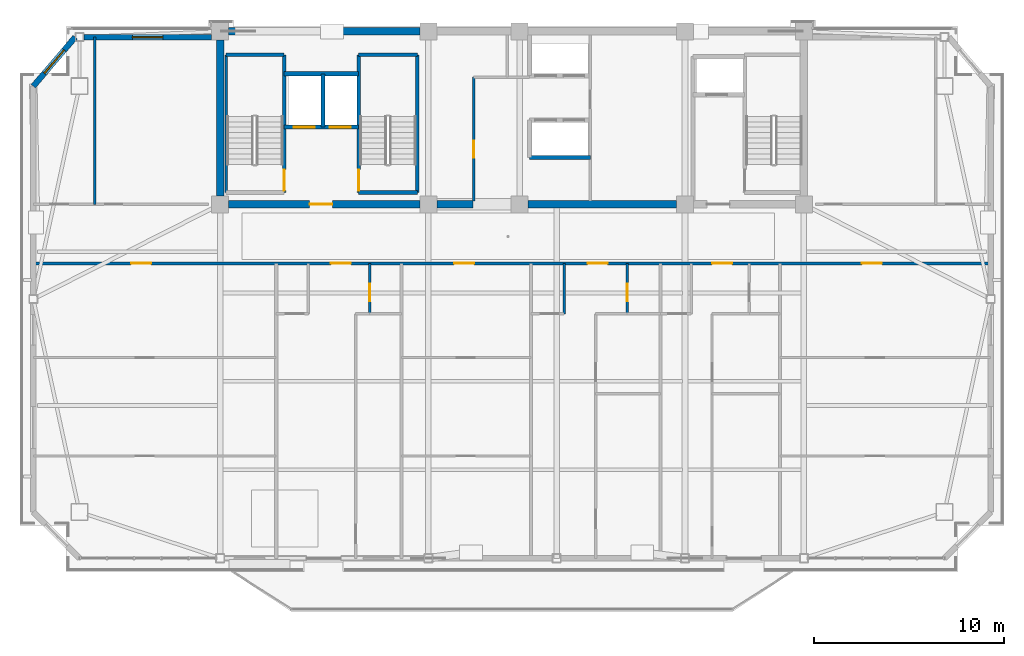
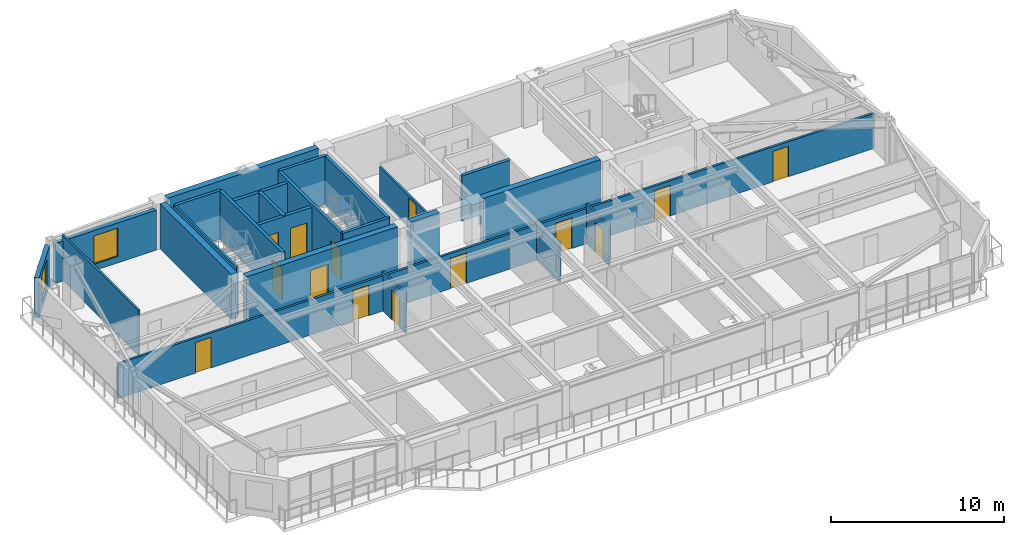
# One storey, part 8 of 15: 24 walls, 14 doors, 2 windows, 16 openings.
"""IFC4 building model written with IfcOpenShell, lengths in metres."""

from ifc_helpers import new_model, si_unit, direction, frame, frame_2d, origin, place, context, subcontext, project, spatial, rectangle, extrude, source, transform, mapped, material, layer, layer_set, type_object, element, fill, save


model = new_model("IFC4")

# Units and contexts
model_context = context("Model", 3, precision=1e-05, world=origin(), true_north=direction((0.0, 1.0)))
body_context = subcontext(model_context, "Body", "Model", "MODEL_VIEW")
ifc_project = project(units=[si_unit("LENGTHUNIT", "METRE"), si_unit("AREAUNIT", "SQUARE_METRE"), si_unit("VOLUMEUNIT", "CUBIC_METRE"), si_unit("PLANEANGLEUNIT", "RADIAN"), si_unit("MASSUNIT", "GRAM", prefix="KILO")], contexts=[model_context])

# Site, building, storey
site_placement = place(None, origin())
site = spatial("IfcSite", under=ifc_project, at=site_placement, CompositionType="ELEMENT")
building_placement = place(site_placement, origin())
building = spatial("IfcBuilding", under=site, at=building_placement, Name="Giltprow Tower", CompositionType="ELEMENT")
storey_placement = place(building_placement, frame((0.0, 0.0, 293.800048828125)))
storey = spatial("IfcBuildingStorey", under=building, at=storey_placement, Name="L75", CompositionType="ELEMENT", Elevation=293.800048828125)

# Wall, opening, window
ifc_material_1 = material(Name="Precast concrete C40", Category="concrete")
ifc_layer_1 = layer(ifc_material_1, 0.300048828125, Name="Precast concrete C40")
ifc_layer_set_1 = layer_set([ifc_layer_1], Name="Precast concrete C40")
wall_type_1 = type_object("IfcWallType", Name="EW-NOTCH-CHAMFER-300", PredefinedType="SOLIDWALL", material=ifc_layer_set_1)
wall_1_placement = place(storey_placement, frame((12.22998046875, 46.25, 0.0), z_axis=(0.0, 0.0, 1.0), x_axis=(-0.649724860602, -0.76016945842, 0.0)))
wall_1 = element("IfcWall", 1, at=wall_1_placement, inside=storey, type_object=wall_type_1, Name="L75 Corner Notch Wall NW", PredefinedType="SOLIDWALL", context=body_context, shape_type="SweptSolid", body=[
    extrude(rectangle(XDim=3.395263671875, YDim=0.300048828125, at=frame_2d((1.69775390625, 0.0))), origin(), (0.0, 0.0, 1.0), 2.81494140625),
])
opening_1_placement = place(wall_1_placement, frame((0.89794921875, 0.0, 0.449951171875)))
opening_1 = element("IfcOpeningElement", 2, at=opening_1_placement, cuts=wall_1, Name="Opening WN17", PredefinedType="OPENING", context=body_context, shape_type="SweptSolid", body=[
    extrude(rectangle(XDim=1.60009765625, YDim=2.0, at=frame_2d((0.800048828125, 1.0))), frame((0.0, 0.159912109375, 0.0), z_axis=(0.0, -1.0, 0.0), x_axis=(1.0, 0.0, 0.0)), (0.0, 0.0, 1.0), 0.320068359375),
])
ifc_material_2 = material(Name="Insulated glass", Category="glass")
window_type = type_object("IfcWindowType", Name="WN-COR-1600x2000", PartitioningType="SINGLE_PANEL", PredefinedType="WINDOW", material=ifc_material_2)
shared_shape_1 = source(origin(), body_context, "Body", "SweptSolid", [
    extrude(rectangle(XDim=1.60009765625, YDim=2.0, at=frame_2d((0.800048828125, 1.0))), frame((0.0, 0.030029296875, 0.0), z_axis=(0.0, -1.0, 0.0), x_axis=(1.0, 0.0, 0.0)), (0.0, 0.0, 1.0), 0.06005859375),
])
window_1_placement = place(opening_1_placement, origin())
window_1 = element("IfcWindow", 3, at=window_1_placement, inside=storey, type_object=window_type, Name="L75 Corner Notch Window NW", OverallHeight=2.0, OverallWidth=1.60009765625, PartitioningType="SINGLE_PANEL", PredefinedType="WINDOW", context=body_context, shape_type="MappedRepresentation", body=[
    mapped(shared_shape_1, transform((0.0, 0.0, 0.0), x_axis=(1.0, 0.0, 0.0), y_axis=(0.0, 1.0, 0.0), z_axis=(0.0, 0.0, 1.0), scale=1.0)),
])
fill(opening_1, window_1)

ifc_layer_2 = layer(ifc_material_1, 0.280029296875, Name="Precast concrete C40")
ifc_layer_set_2 = layer_set([ifc_layer_2], Name="Precast concrete C40")
wall_type_2 = type_object("IfcWallType", Name="EW-TOW-BRONZE-280", PredefinedType="SOLIDWALL", material=ifc_layer_set_2)
wall_2_placement = place(storey_placement, frame((12.679931640625, 46.25, 0.0), z_axis=(0.0, 0.0, 1.0), x_axis=(1.0, 0.0, 0.0)))
wall_2 = element("IfcWall", 4, at=wall_2_placement, inside=storey, type_object=wall_type_2, Name="L75 North-West Wing Wall", PredefinedType="SOLIDWALL", context=body_context, shape_type="SweptSolid", body=[
    extrude(rectangle(XDim=6.719970703125, YDim=0.280029296875, at=frame_2d((3.35986328125, 0.0))), origin(), (0.0, 0.0, 1.0), 2.81494140625),
])
opening_2_placement = place(wall_2_placement, frame((2.56005859375, 0.0, 0.449951171875)))
opening_2 = element("IfcOpeningElement", 5, at=opening_2_placement, cuts=wall_2, Name="Opening WN17", PredefinedType="OPENING", context=body_context, shape_type="SweptSolid", body=[
    extrude(rectangle(XDim=1.60009765625, YDim=2.0, at=frame_2d((0.800048828125, 1.0))), frame((0.0, 0.14990234375, 0.0), z_axis=(0.0, -1.0, 0.0), x_axis=(1.0, 0.0, 0.0)), (0.0, 0.0, 1.0), 0.300048828125),
])
window_2_placement = place(opening_2_placement, origin())
window_2 = element("IfcWindow", 6, at=window_2_placement, inside=storey, type_object=window_type, Name="L75 North-West Window", OverallHeight=2.0, OverallWidth=1.60009765625, PartitioningType="SINGLE_PANEL", PredefinedType="WINDOW", context=body_context, shape_type="MappedRepresentation", body=[
    mapped(shared_shape_1, transform((0.0, 0.0, 0.0), x_axis=(1.0, 0.0, 0.0), y_axis=(0.0, 1.0, 0.0), z_axis=(0.0, 0.0, 1.0), scale=1.0)),
])
fill(opening_2, window_2)

# Wall, openings, doors
ifc_material_3 = material(Name="Gypsum stud partition", Category="gypsum")
ifc_layer_3 = layer(ifc_material_3, 0.14990234375, Name="Gypsum stud partition")
ifc_layer_set_3 = layer_set([ifc_layer_3], Name="Gypsum stud partition")
wall_type_3 = type_object("IfcWallType", Name="IW-CORR-150", PredefinedType="PARTITIONING", material=ifc_layer_set_3)
wall_3_placement = place(storey_placement, frame((10.02392578125, 34.35009765625, 0.0), z_axis=(0.0, 0.0, 1.0), x_axis=(1.0, 0.0, 0.0)))
wall_3 = element("IfcWall", 7, at=wall_3_placement, inside=storey, type_object=wall_type_3, Name="L75 Residence Gallery Corridor Wall", PredefinedType="PARTITIONING", context=body_context, shape_type="SweptSolid", body=[
    extrude(rectangle(XDim=50.35205078125, YDim=0.14990234375, at=frame_2d((25.176025390625, 0.0))), origin(), (0.0, 0.0, 1.0), 2.469970703125),
])
opening_3_placement = place(wall_3_placement, frame((5.14794921875, 0.0, 0.0)))
opening_3 = element("IfcOpeningElement", 8, at=opening_3_placement, cuts=wall_3, Name="Opening ID31", PredefinedType="OPENING", context=body_context, shape_type="SweptSolid", body=[
    extrude(rectangle(XDim=1.050048828125, YDim=2.14990234375, at=frame_2d((0.52490234375, 1.074951171875))), frame((0.0, 0.0849609375, 0.0), z_axis=(0.0, -1.0, 0.0), x_axis=(1.0, 0.0, 0.0)), (0.0, 0.0, 1.0), 0.169921875),
])
opening_4_placement = place(wall_3_placement, frame((15.65087890625, 0.0, 0.0)))
opening_4 = element("IfcOpeningElement", 9, at=opening_4_placement, cuts=wall_3, Name="Opening ID31", PredefinedType="OPENING", context=body_context, shape_type="SweptSolid", body=[
    extrude(rectangle(XDim=1.050048828125, YDim=2.14990234375, at=frame_2d((0.52490234375, 1.074951171875))), frame((0.0, 0.0849609375, 0.0), z_axis=(0.0, -1.0, 0.0), x_axis=(1.0, 0.0, 0.0)), (0.0, 0.0, 1.0), 0.169921875),
])
opening_5_placement = place(wall_3_placement, frame((22.12890625, 0.0, 0.0)))
opening_5 = element("IfcOpeningElement", 10, at=opening_5_placement, cuts=wall_3, Name="Opening ID31", PredefinedType="OPENING", context=body_context, shape_type="SweptSolid", body=[
    extrude(rectangle(XDim=1.050048828125, YDim=2.14990234375, at=frame_2d((0.52490234375, 1.074951171875))), frame((0.0, 0.0849609375, 0.0), z_axis=(0.0, -1.0, 0.0), x_axis=(1.0, 0.0, 0.0)), (0.0, 0.0, 1.0), 0.169921875),
])
opening_6_placement = place(wall_3_placement, frame((29.15087890625, 0.0, 0.0)))
opening_6 = element("IfcOpeningElement", 11, at=opening_6_placement, cuts=wall_3, Name="Opening ID31", PredefinedType="OPENING", context=body_context, shape_type="SweptSolid", body=[
    extrude(rectangle(XDim=1.050048828125, YDim=2.14990234375, at=frame_2d((0.52490234375, 1.074951171875))), frame((0.0, 0.0849609375, 0.0), z_axis=(0.0, -1.0, 0.0), x_axis=(1.0, 0.0, 0.0)), (0.0, 0.0, 1.0), 0.169921875),
])
opening_7_placement = place(wall_3_placement, frame((35.700927734375, 0.0, 0.0)))
opening_7 = element("IfcOpeningElement", 12, at=opening_7_placement, cuts=wall_3, Name="Opening ID31", PredefinedType="OPENING", context=body_context, shape_type="SweptSolid", body=[
    extrude(rectangle(XDim=1.050048828125, YDim=2.14990234375, at=frame_2d((0.52490234375, 1.074951171875))), frame((0.0, 0.0849609375, 0.0), z_axis=(0.0, -1.0, 0.0), x_axis=(1.0, 0.0, 0.0)), (0.0, 0.0, 1.0), 0.169921875),
])
opening_8_placement = place(wall_3_placement, frame((43.577880859375, 0.0, 0.0)))
opening_8 = element("IfcOpeningElement", 13, at=opening_8_placement, cuts=wall_3, Name="Opening ID31", PredefinedType="OPENING", context=body_context, shape_type="SweptSolid", body=[
    extrude(rectangle(XDim=1.050048828125, YDim=2.14990234375, at=frame_2d((0.52490234375, 1.074951171875))), frame((0.0, 0.0849609375, 0.0), z_axis=(0.0, -1.0, 0.0), x_axis=(1.0, 0.0, 0.0)), (0.0, 0.0, 1.0), 0.169921875),
])
ifc_material_4 = material(Name="Engineered timber", Category="wood")
door_type_1 = type_object("IfcDoorType", Name="DR-SUITE-1050", OperationType="SINGLE_SWING_LEFT", PredefinedType="DOOR", material=ifc_material_4)
shared_shape_2 = source(origin(), body_context, "Body", "SweptSolid", [
    extrude(rectangle(XDim=1.050048828125, YDim=2.14990234375, at=frame_2d((0.52490234375, 1.074951171875))), frame((0.0, 0.02490234375, 0.0), z_axis=(0.0, -1.0, 0.0), x_axis=(1.0, 0.0, 0.0)), (0.0, 0.0, 1.0), 0.050048828125),
])
door_1_placement = place(opening_3_placement, origin())
door_1 = element("IfcDoor", 14, at=door_1_placement, inside=storey, type_object=door_type_1, Name="L75 Altitude Pilates Gym 1 North Door", OperationType="SINGLE_SWING_LEFT", OverallHeight=2.14990234375, OverallWidth=1.050048828125, PredefinedType="DOOR", context=body_context, shape_type="MappedRepresentation", body=[
    mapped(shared_shape_2, transform((0.0, 0.0, 0.0), x_axis=(1.0, 0.0, 0.0), y_axis=(0.0, 1.0, 0.0), z_axis=(0.0, 0.0, 1.0), scale=1.0)),
])
fill(opening_3, door_1)
door_2_placement = place(opening_4_placement, origin())
door_2 = element("IfcDoor", 15, at=door_2_placement, inside=storey, type_object=door_type_1, Name="L75 Unit 1 Entrance Door", OperationType="SINGLE_SWING_RIGHT", OverallHeight=2.14990234375, OverallWidth=1.050048828125, PredefinedType="DOOR", context=body_context, shape_type="MappedRepresentation", body=[
    mapped(shared_shape_2, transform((0.0, 0.0, 0.0), x_axis=(1.0, 0.0, 0.0), y_axis=(0.0, 1.0, 0.0), z_axis=(0.0, 0.0, 1.0), scale=1.0)),
])
fill(opening_4, door_2)
door_3_placement = place(opening_5_placement, origin())
door_3 = element("IfcDoor", 16, at=door_3_placement, inside=storey, type_object=door_type_1, Name="L75 Meditation Gym 2 North Door", OperationType="SINGLE_SWING_RIGHT", OverallHeight=2.14990234375, OverallWidth=1.050048828125, PredefinedType="DOOR", context=body_context, shape_type="MappedRepresentation", body=[
    mapped(shared_shape_2, transform((0.0, 0.0, 0.0), x_axis=(1.0, 0.0, 0.0), y_axis=(0.0, 1.0, 0.0), z_axis=(0.0, 0.0, 1.0), scale=1.0)),
])
fill(opening_5, door_3)
door_4_placement = place(opening_6_placement, origin())
door_4 = element("IfcDoor", 17, at=door_4_placement, inside=storey, type_object=door_type_1, Name="L75 Unit 2 Entrance Door", OperationType="SINGLE_SWING_LEFT", OverallHeight=2.14990234375, OverallWidth=1.050048828125, PredefinedType="DOOR", context=body_context, shape_type="MappedRepresentation", body=[
    mapped(shared_shape_2, transform((0.0, 0.0, 0.0), x_axis=(1.0, 0.0, 0.0), y_axis=(0.0, 1.0, 0.0), z_axis=(0.0, 0.0, 1.0), scale=1.0)),
])
fill(opening_6, door_4)
door_5_placement = place(opening_7_placement, origin())
door_5 = element("IfcDoor", 18, at=door_5_placement, inside=storey, type_object=door_type_1, Name="L75 Unit 3 Entrance Door", OperationType="SINGLE_SWING_RIGHT", OverallHeight=2.14990234375, OverallWidth=1.050048828125, PredefinedType="DOOR", context=body_context, shape_type="MappedRepresentation", body=[
    mapped(shared_shape_2, transform((0.0, 0.0, 0.0), x_axis=(1.0, 0.0, 0.0), y_axis=(0.0, 1.0, 0.0), z_axis=(0.0, 0.0, 1.0), scale=1.0)),
])
fill(opening_7, door_5)
door_6_placement = place(opening_8_placement, origin())
door_6 = element("IfcDoor", 19, at=door_6_placement, inside=storey, type_object=door_type_1, Name="L75 Sky Yoga Gym 3 North Door", OperationType="SINGLE_SWING_LEFT", OverallHeight=2.14990234375, OverallWidth=1.050048828125, PredefinedType="DOOR", context=body_context, shape_type="MappedRepresentation", body=[
    mapped(shared_shape_2, transform((0.0, 0.0, 0.0), x_axis=(1.0, 0.0, 0.0), y_axis=(0.0, 1.0, 0.0), z_axis=(0.0, 0.0, 1.0), scale=1.0)),
])
fill(opening_8, door_6)

ifc_material_5 = material(Name="Concrete C40", Category="concrete")
ifc_layer_4 = layer(ifc_material_5, 0.219970703125, Name="Concrete C40")
ifc_layer_set_4 = layer_set([ifc_layer_4], Name="Concrete C40")
wall_type_4 = type_object("IfcWallType", Name="IW-SHAFT-220", PredefinedType="SOLIDWALL", material=ifc_layer_set_4)
wall_4_placement = place(storey_placement, frame((23.219970703125, 41.52001953125, 0.0), z_axis=(0.0, 0.0, 1.0), x_axis=(1.0, 0.0, 0.0)))
wall_4 = element("IfcWall", 20, at=wall_4_placement, inside=storey, type_object=wall_type_4, Name="L75 FFL1 and Service Lift Front Wall", PredefinedType="SOLIDWALL", context=body_context, shape_type="SweptSolid", body=[
    extrude(rectangle(XDim=3.919921875, YDim=0.219970703125, at=frame_2d((1.9599609375, 0.0))), origin(), (0.0, 0.0, 1.0), 3.18505859375),
])
opening_9_placement = place(wall_4_placement, frame((0.5, 0.0, 0.0)))
opening_9 = element("IfcOpeningElement", 21, at=opening_9_placement, cuts=wall_4, Name="Opening LD-11", PredefinedType="OPENING", context=body_context, shape_type="SweptSolid", body=[
    extrude(rectangle(XDim=1.10009765625, YDim=2.199951171875, at=frame_2d((0.550048828125, 1.10009765625))), frame((0.0, 0.119873046875, 0.0), z_axis=(0.0, -1.0, 0.0), x_axis=(1.0, 0.0, 0.0)), (0.0, 0.0, 1.0), 0.239990234375),
])
opening_10_placement = place(wall_4_placement, frame((2.39990234375, 0.0, 0.0)))
opening_10 = element("IfcOpeningElement", 22, at=opening_10_placement, cuts=wall_4, Name="Opening LD-11", PredefinedType="OPENING", context=body_context, shape_type="SweptSolid", body=[
    extrude(rectangle(XDim=1.10009765625, YDim=2.199951171875, at=frame_2d((0.550048828125, 1.10009765625))), frame((0.0, 0.119873046875, 0.0), z_axis=(0.0, -1.0, 0.0), x_axis=(1.0, 0.0, 0.0)), (0.0, 0.0, 1.0), 0.239990234375),
])
ifc_material_6 = material(Name="Stainless steel", Category="steel")
door_type_2 = type_object("IfcDoorType", Name="DR-LIFT-LD1100", OperationType="SLIDING_TO_LEFT", PredefinedType="DOOR", material=ifc_material_6)
shared_shape_3 = source(origin(), body_context, "Body", "SweptSolid", [
    extrude(rectangle(XDim=1.10009765625, YDim=2.199951171875, at=frame_2d((0.550048828125, 1.10009765625))), frame((0.0, 0.02490234375, 0.0), z_axis=(0.0, -1.0, 0.0), x_axis=(1.0, 0.0, 0.0)), (0.0, 0.0, 1.0), 0.050048828125),
])
door_7_placement = place(opening_9_placement, origin())
door_7 = element("IfcDoor", 23, at=door_7_placement, inside=storey, type_object=door_type_2, Name="L75 FFL1 Landing Door", OperationType="SLIDING_TO_LEFT", OverallHeight=2.199951171875, OverallWidth=1.10009765625, PredefinedType="DOOR", context=body_context, shape_type="MappedRepresentation", body=[
    mapped(shared_shape_3, transform((0.0, 0.0, 0.0), x_axis=(1.0, 0.0, 0.0), y_axis=(0.0, 1.0, 0.0), z_axis=(0.0, 0.0, 1.0), scale=1.0)),
])
fill(opening_9, door_7)
door_8_placement = place(opening_10_placement, origin())
door_8 = element("IfcDoor", 24, at=door_8_placement, inside=storey, type_object=door_type_2, Name="L75 SVL1 Landing Door", OperationType="SLIDING_TO_LEFT", OverallHeight=2.199951171875, OverallWidth=1.10009765625, PredefinedType="DOOR", context=body_context, shape_type="MappedRepresentation", body=[
    mapped(shared_shape_3, transform((0.0, 0.0, 0.0), x_axis=(1.0, 0.0, 0.0), y_axis=(0.0, 1.0, 0.0), z_axis=(0.0, 0.0, 1.0), scale=1.0)),
])
fill(opening_10, door_8)

# Walls
wall_5_placement = place(storey_placement, frame((25.260009765625, 41.52001953125, 0.0), z_axis=(0.0, 0.0, 1.0), x_axis=(0.0, 1.0, 0.0)))
element("IfcWall", 25, at=wall_5_placement, inside=storey, type_object=wall_type_4, Name="L75 FFL1-SVL1 Shaft Divider", PredefinedType="SOLIDWALL", context=body_context, shape_type="SweptSolid", body=[
    extrude(rectangle(XDim=2.800048828125, YDim=0.219970703125, at=frame_2d((1.39990234375, 0.0))), origin(), (0.0, 0.0, 1.0), 3.18505859375),
])
wall_6_placement = place(storey_placement, frame((23.219970703125, 44.320068359375, 0.0), z_axis=(0.0, 0.0, 1.0), x_axis=(1.0, 0.0, 0.0)))
element("IfcWall", 26, at=wall_6_placement, inside=storey, type_object=wall_type_4, Name="L75 FFL1-SVL1 Back Shaft Wall", PredefinedType="SOLIDWALL", context=body_context, shape_type="SweptSolid", body=[
    extrude(rectangle(XDim=3.919921875, YDim=0.219970703125, at=frame_2d((1.9599609375, 0.0))), origin(), (0.0, 0.0, 1.0), 3.18505859375),
])
wall_7_placement = place(storey_placement, frame((36.1201171875, 39.919921875, 0.0), z_axis=(0.0, 0.0, 1.0), x_axis=(1.0, 0.0, 0.0)))
element("IfcWall", 27, at=wall_7_placement, inside=storey, type_object=wall_type_4, Name="L75 High-Rise South Lift Back Wall", PredefinedType="SOLIDWALL", context=body_context, shape_type="SweptSolid", body=[
    extrude(rectangle(XDim=3.199951171875, YDim=0.219970703125, at=frame_2d((1.60009765625, 0.0))), origin(), (0.0, 0.0, 1.0), 3.18505859375),
])
ifc_material_7 = material(Name="Concrete C45", Category="concrete")
ifc_layer_5 = layer(ifc_material_7, 0.139892578125, Name="Concrete C45")
ifc_layer_set_5 = layer_set([ifc_layer_5], Name="Concrete C45")
wall_type_5 = type_object("IfcWallType", Name="IW-STAIR-140", PredefinedType="SOLIDWALL", material=ifc_layer_set_5)
wall_8_placement = place(storey_placement, frame((20.169921875, 38.070068359375, 0.0), z_axis=(0.0, 0.0, 1.0), x_axis=(0.0, 1.0, 0.0)))
element("IfcWall", 28, at=wall_8_placement, inside=storey, type_object=wall_type_5, Name="L75 Stair ST-1 West Bearing Wall", PredefinedType="SOLIDWALL", context=body_context, shape_type="SweptSolid", body=[
    extrude(rectangle(XDim=7.25, YDim=0.139892578125, at=frame_2d((3.625, 0.0))), origin(), (0.0, 0.0, 1.0), 3.39990234375),
])

# Wall, opening, door
ifc_layer_6 = layer(ifc_material_5, 0.199951171875, Name="Concrete C40")
ifc_layer_set_6 = layer_set([ifc_layer_6], Name="Concrete C40")
wall_type_6 = type_object("IfcWallType", Name="IW-STAIR-200", PredefinedType="SOLIDWALL", material=ifc_layer_set_6)
wall_9_placement = place(storey_placement, frame((23.219970703125, 38.070068359375, 0.0), z_axis=(0.0, 0.0, 1.0), x_axis=(0.0, 1.0, 0.0)))
wall_9 = element("IfcWall", 29, at=wall_9_placement, inside=storey, type_object=wall_type_6, Name="L75 Stair ST-1 East Bearing Wall", PredefinedType="SOLIDWALL", context=body_context, shape_type="SweptSolid", body=[
    extrude(rectangle(XDim=7.25, YDim=0.199951171875, at=frame_2d((3.625, 0.0))), origin(), (0.0, 0.0, 1.0), 3.39990234375),
])
opening_11_placement = place(wall_9_placement, frame((0.110107421875, 0.0, 0.0)))
opening_11 = element("IfcOpeningElement", 30, at=opening_11_placement, cuts=wall_9, Name="Opening ID33", PredefinedType="OPENING", context=body_context, shape_type="SweptSolid", body=[
    extrude(rectangle(XDim=1.10009765625, YDim=2.14990234375, at=frame_2d((0.550048828125, 1.074951171875))), frame((0.0, 0.10986328125, 0.0), z_axis=(0.0, -1.0, 0.0), x_axis=(1.0, 0.0, 0.0)), (0.0, 0.0, 1.0), 0.219970703125),
])
ifc_material_8 = material(Name="Steel fire leaf", Category="steel")
door_type_3 = type_object("IfcDoorType", Name="DR-STAIR-1100", OperationType="SINGLE_SWING_LEFT", PredefinedType="DOOR", material=ifc_material_8)
shared_shape_4 = source(origin(), body_context, "Body", "SweptSolid", [
    extrude(rectangle(XDim=1.10009765625, YDim=2.14990234375, at=frame_2d((0.550048828125, 1.074951171875))), frame((0.0, 0.02490234375, 0.0), z_axis=(0.0, -1.0, 0.0), x_axis=(1.0, 0.0, 0.0)), (0.0, 0.0, 1.0), 0.050048828125),
])
door_9_placement = place(opening_11_placement, origin())
door_9 = element("IfcDoor", 31, at=door_9_placement, inside=storey, type_object=door_type_3, Name="L75 Stair ST-1 Fire Door", OperationType="SINGLE_SWING_RIGHT", OverallHeight=2.14990234375, OverallWidth=1.10009765625, PredefinedType="DOOR", context=body_context, shape_type="MappedRepresentation", body=[
    mapped(shared_shape_4, transform((0.0, 0.0, 0.0), x_axis=(1.0, 0.0, 0.0), y_axis=(0.0, 1.0, 0.0), z_axis=(0.0, 0.0, 1.0), scale=1.0)),
])
fill(opening_11, door_9)

# Wall
wall_10_placement = place(storey_placement, frame((20.169921875, 45.320068359375, 0.0), z_axis=(0.0, 0.0, 1.0), x_axis=(1.0, 0.0, 0.0)))
element("IfcWall", 32, at=wall_10_placement, inside=storey, type_object=wall_type_6, Name="L75 Stair ST-1 North Bearing Wall", PredefinedType="SOLIDWALL", context=body_context, shape_type="SweptSolid", body=[
    extrude(rectangle(XDim=3.050048828125, YDim=0.199951171875, at=frame_2d((1.52490234375, 0.0))), origin(), (0.0, 0.0, 1.0), 3.39990234375),
])

# Wall, opening, door
wall_11_placement = place(storey_placement, frame((27.139892578125, 38.070068359375, 0.0), z_axis=(0.0, 0.0, 1.0), x_axis=(0.0, 1.0, 0.0)))
wall_11 = element("IfcWall", 33, at=wall_11_placement, inside=storey, type_object=wall_type_6, Name="L75 Stair ST-2 West Bearing Wall", PredefinedType="SOLIDWALL", context=body_context, shape_type="SweptSolid", body=[
    extrude(rectangle(XDim=7.25, YDim=0.199951171875, at=frame_2d((3.625, 0.0))), origin(), (0.0, 0.0, 1.0), 3.39990234375),
])
opening_12_placement = place(wall_11_placement, frame((0.110107421875, 0.0, 0.0)))
opening_12 = element("IfcOpeningElement", 34, at=opening_12_placement, cuts=wall_11, Name="Opening ID33", PredefinedType="OPENING", context=body_context, shape_type="SweptSolid", body=[
    extrude(rectangle(XDim=1.10009765625, YDim=2.14990234375, at=frame_2d((0.550048828125, 1.074951171875))), frame((0.0, 0.10986328125, 0.0), z_axis=(0.0, -1.0, 0.0), x_axis=(1.0, 0.0, 0.0)), (0.0, 0.0, 1.0), 0.219970703125),
])
door_10_placement = place(opening_12_placement, origin())
door_10 = element("IfcDoor", 35, at=door_10_placement, inside=storey, type_object=door_type_3, Name="L75 Stair ST-2 Fire Door", OperationType="SINGLE_SWING_LEFT", OverallHeight=2.14990234375, OverallWidth=1.10009765625, PredefinedType="DOOR", context=body_context, shape_type="MappedRepresentation", body=[
    mapped(shared_shape_4, transform((0.0, 0.0, 0.0), x_axis=(1.0, 0.0, 0.0), y_axis=(0.0, 1.0, 0.0), z_axis=(0.0, 0.0, 1.0), scale=1.0)),
])
fill(opening_12, door_10)

# Walls
wall_12_placement = place(storey_placement, frame((30.219970703125, 38.070068359375, 0.0), z_axis=(0.0, 0.0, 1.0), x_axis=(0.0, 1.0, 0.0)))
element("IfcWall", 36, at=wall_12_placement, inside=storey, type_object=wall_type_6, Name="L75 Stair ST-2 East Bearing Wall", PredefinedType="SOLIDWALL", context=body_context, shape_type="SweptSolid", body=[
    extrude(rectangle(XDim=7.25, YDim=0.199951171875, at=frame_2d((3.625, 0.0))), origin(), (0.0, 0.0, 1.0), 3.39990234375),
])
for number, where, z_axis, x_axis, name in (
    (37, (27.139892578125, 45.320068359375, 0.0), (0.0, 0.0, 1.0), (1.0, 0.0, 0.0), "L75 Stair ST-2 North Bearing Wall"),
    (38, (27.139892578125, 38.070068359375, 0.0), (0.0, 0.0, 1.0), (1.0, 0.0, 0.0), "L75 Stair ST-2 South Bearing Wall"),
):
    element("IfcWall", number, at=place(storey_placement, frame(where, z_axis=z_axis, x_axis=x_axis)), inside=storey, type_object=wall_type_6, Name=name, PredefinedType="SOLIDWALL", context=body_context, shape_type="SweptSolid", body=[
        extrude(rectangle(XDim=3.080078125, YDim=0.199951171875, at=frame_2d((1.5400390625, 0.0))), origin(), (0.0, 0.0, 1.0), 3.39990234375),
    ])

# Wall, opening, door
ifc_material_9 = material(Name="Concrete C30", Category="concrete")
ifc_layer_7 = layer(ifc_material_9, 0.1298828125, Name="Concrete C30")
ifc_layer_set_7 = layer_set([ifc_layer_7], Name="Concrete C30")
wall_type_7 = type_object("IfcWallType", Name="IW-WET-130", PredefinedType="PARTITIONING", material=ifc_layer_set_7)
wall_13_placement = place(storey_placement, frame((33.179931640625, 37.6298828125, 0.0), z_axis=(0.0, 0.0, 1.0), x_axis=(0.0, 1.0, 0.0)))
wall_13 = element("IfcWall", 39, at=wall_13_placement, inside=storey, type_object=wall_type_7, Name="L75 Reclaimed West Core Wall", PredefinedType="PARTITIONING", context=body_context, shape_type="SweptSolid", body=[
    extrude(rectangle(XDim=6.52001953125, YDim=0.1298828125, at=frame_2d((3.260009765625, 0.0))), origin(), (0.0, 0.0, 1.0), 2.27001953125),
])
opening_13_placement = place(wall_13_placement, frame((2.27001953125, 0.0, 0.0)))
opening_13 = element("IfcOpeningElement", 40, at=opening_13_placement, cuts=wall_13, Name="Opening ID35", PredefinedType="OPENING", context=body_context, shape_type="SweptSolid", body=[
    extrude(rectangle(XDim=0.89990234375, YDim=2.10009765625, at=frame_2d((0.449951171875, 1.050048828125))), frame((0.0, 0.074951171875, 0.0), z_axis=(0.0, -1.0, 0.0), x_axis=(1.0, 0.0, 0.0)), (0.0, 0.0, 1.0), 0.14990234375),
])
door_type_4 = type_object("IfcDoorType", Name="DR-SHAFT-900", OperationType="SINGLE_SWING_LEFT", PredefinedType="DOOR", material=ifc_material_8)
shared_shape_5 = source(origin(), body_context, "Body", "SweptSolid", [
    extrude(rectangle(XDim=0.89990234375, YDim=2.10009765625, at=frame_2d((0.449951171875, 1.050048828125))), frame((0.0, 0.02490234375, 0.0), z_axis=(0.0, -1.0, 0.0), x_axis=(1.0, 0.0, 0.0)), (0.0, 0.0, 1.0), 0.050048828125),
])
door_11_placement = place(opening_13_placement, origin())
door_11 = element("IfcDoor", 41, at=door_11_placement, inside=storey, type_object=door_type_4, Name="L75 Core Accessible Washroom Door", OperationType="SINGLE_SWING_LEFT", OverallHeight=2.10009765625, OverallWidth=0.89990234375, PredefinedType="DOOR", context=body_context, shape_type="MappedRepresentation", body=[
    mapped(shared_shape_5, transform((0.0, 0.0, 0.0), x_axis=(1.0, 0.0, 0.0), y_axis=(0.0, 1.0, 0.0), z_axis=(0.0, 0.0, 1.0), scale=1.0)),
])
fill(opening_13, door_11)

wall_14_placement = place(storey_placement, frame((27.7099609375, 31.699951171875, 0.0), z_axis=(0.0, 0.0, 1.0), x_axis=(0.0, 1.0, 0.0)))
wall_14 = element("IfcWall", 42, at=wall_14_placement, inside=storey, type_object=wall_type_7, Name="L75 Unit 1 Bathroom West Wall", PredefinedType="PARTITIONING", context=body_context, shape_type="SweptSolid", body=[
    extrude(rectangle(XDim=2.650146484375, YDim=0.1298828125, at=frame_2d((1.3251953125, 0.0))), origin(), (0.0, 0.0, 1.0), 2.77001953125),
])
opening_14_placement = place(wall_14_placement, frame((0.669921875, 0.0, 0.0)))
opening_14 = element("IfcOpeningElement", 43, at=opening_14_placement, cuts=wall_14, Name="Opening ID15", PredefinedType="OPENING", context=body_context, shape_type="SweptSolid", body=[
    extrude(rectangle(XDim=0.89990234375, YDim=2.10009765625, at=frame_2d((0.449951171875, 1.050048828125))), frame((0.0, 0.074951171875, 0.0), z_axis=(0.0, -1.0, 0.0), x_axis=(1.0, 0.0, 0.0)), (0.0, 0.0, 1.0), 0.14990234375),
])
door_type_5 = type_object("IfcDoorType", Name="DR-WC-900", OperationType="SINGLE_SWING_LEFT", PredefinedType="DOOR", material=ifc_material_4)
door_12_placement = place(opening_14_placement, origin())
door_12 = element("IfcDoor", 44, at=door_12_placement, inside=storey, type_object=door_type_5, Name="L75 Unit 1 Bathroom Door", OperationType="SINGLE_SWING_RIGHT", OverallHeight=2.10009765625, OverallWidth=0.89990234375, PredefinedType="DOOR", context=body_context, shape_type="MappedRepresentation", body=[
    mapped(shared_shape_5, transform((0.0, 0.0, 0.0), x_axis=(1.0, 0.0, 0.0), y_axis=(0.0, 1.0, 0.0), z_axis=(0.0, 0.0, 1.0), scale=1.0)),
])
fill(opening_14, door_12)

# Wall
wall_15_placement = place(storey_placement, frame((37.93994140625, 31.699951171875, 0.0), z_axis=(0.0, 0.0, 1.0), x_axis=(0.0, 1.0, 0.0)))
element("IfcWall", 45, at=wall_15_placement, inside=storey, type_object=wall_type_7, Name="L75 Unit 2 Kitchen East Wall", PredefinedType="PARTITIONING", context=body_context, shape_type="SweptSolid", body=[
    extrude(rectangle(XDim=2.650146484375, YDim=0.1298828125, at=frame_2d((1.3251953125, 0.0))), origin(), (0.0, 0.0, 1.0), 2.77001953125),
])

# Wall, opening, door
wall_16_placement = place(storey_placement, frame((41.260009765625, 31.699951171875, 0.0), z_axis=(0.0, 0.0, 1.0), x_axis=(0.0, 1.0, 0.0)))
wall_16 = element("IfcWall", 46, at=wall_16_placement, inside=storey, type_object=wall_type_7, Name="L75 Unit 2 Bathroom West Wall", PredefinedType="PARTITIONING", context=body_context, shape_type="SweptSolid", body=[
    extrude(rectangle(XDim=2.650146484375, YDim=0.1298828125, at=frame_2d((1.3251953125, 0.0))), origin(), (0.0, 0.0, 1.0), 2.77001953125),
])
opening_15_placement = place(wall_16_placement, frame((0.669921875, 0.0, 0.0)))
opening_15 = element("IfcOpeningElement", 47, at=opening_15_placement, cuts=wall_16, Name="Opening ID15", PredefinedType="OPENING", context=body_context, shape_type="SweptSolid", body=[
    extrude(rectangle(XDim=0.89990234375, YDim=2.10009765625, at=frame_2d((0.449951171875, 1.050048828125))), frame((0.0, 0.074951171875, 0.0), z_axis=(0.0, -1.0, 0.0), x_axis=(1.0, 0.0, 0.0)), (0.0, 0.0, 1.0), 0.14990234375),
])
door_13_placement = place(opening_15_placement, origin())
door_13 = element("IfcDoor", 48, at=door_13_placement, inside=storey, type_object=door_type_5, Name="L75 Unit 2 Bathroom Door", OperationType="SINGLE_SWING_LEFT", OverallHeight=2.10009765625, OverallWidth=0.89990234375, PredefinedType="DOOR", context=body_context, shape_type="MappedRepresentation", body=[
    mapped(shared_shape_5, transform((0.0, 0.0, 0.0), x_axis=(1.0, 0.0, 0.0), y_axis=(0.0, 1.0, 0.0), z_axis=(0.0, 0.0, 1.0), scale=1.0)),
])
fill(opening_15, door_13)

# Walls
wall_17_placement = place(storey_placement, frame((13.259033203125, 37.449951171875, 0.0), z_axis=(0.0, 0.0, 1.0), x_axis=(0.0, 1.0, 0.0)))
element("IfcWall", 49, at=wall_17_placement, inside=storey, type_object=wall_type_7, Name="L75 NW Wing Divider", PredefinedType="PARTITIONING", context=body_context, shape_type="SweptSolid", body=[
    extrude(rectangle(XDim=8.800048828125, YDim=0.1298828125, at=frame_2d((4.39990234375, 0.0))), origin(), (0.0, 0.0, 1.0), 3.18505859375),
])
ifc_layer_8 = layer(ifc_material_7, 0.39990234375, Name="Concrete C45")
ifc_layer_set_8 = layer_set([ifc_layer_8], Name="Concrete C45")
wall_type_8 = type_object("IfcWallType", Name="SW-EXT-400-C45", PredefinedType="SHEAR", material=ifc_layer_set_8)
wall_18_placement = place(storey_placement, frame((20.300048828125, 46.550048828125, 0.0), z_axis=(0.0, 0.0, 1.0), x_axis=(1.0, 0.0, 0.0)))
element("IfcWall", 50, at=wall_18_placement, inside=storey, type_object=wall_type_8, Name="L75 North Rear Core Shear Wall 1", PredefinedType="SHEAR", context=body_context, shape_type="SweptSolid", body=[
    extrude(rectangle(XDim=10.050048828125, YDim=0.39990234375, at=frame_2d((5.02490234375, 0.0))), origin(), (0.0, 0.0, 1.0), 3.18505859375),
])

# Wall, opening, door
ifc_layer_9 = layer(ifc_material_7, 0.39990234375, Name="Concrete C45")
ifc_layer_set_9 = layer_set([ifc_layer_9], Name="Concrete C45")
wall_type_9 = type_object("IfcWallType", Name="SW-INT-400-C45", PredefinedType="SHEAR", material=ifc_layer_set_9)
wall_19_placement = place(storey_placement, frame((20.300048828125, 37.449951171875, 0.0), z_axis=(0.0, 0.0, 1.0), x_axis=(1.0, 0.0, 0.0)))
wall_19 = element("IfcWall", 51, at=wall_19_placement, inside=storey, type_object=wall_type_9, Name="L75 South Rear Core Shear Wall West", PredefinedType="SHEAR", context=body_context, shape_type="SweptSolid", body=[
    extrude(rectangle(XDim=10.050048828125, YDim=0.39990234375, at=frame_2d((5.02490234375, 0.0))), origin(), (0.0, 0.0, 1.0), 3.18505859375),
])
opening_16_placement = place(wall_19_placement, frame((4.25, 0.0, 0.0)))
opening_16 = element("IfcOpeningElement", 52, at=opening_16_placement, cuts=wall_19, Name="Opening ID19", PredefinedType="OPENING", context=body_context, shape_type="SweptSolid", body=[
    extrude(rectangle(XDim=1.199951171875, YDim=2.14990234375, at=frame_2d((0.60009765625, 1.074951171875))), frame((0.0, 0.2099609375, 0.0), z_axis=(0.0, -1.0, 0.0), x_axis=(1.0, 0.0, 0.0)), (0.0, 0.0, 1.0), 0.419921875),
])
door_type_6 = type_object("IfcDoorType", Name="DR-FFLOBBY-1200", OperationType="SINGLE_SWING_RIGHT", PredefinedType="DOOR", material=ifc_material_8)
shared_shape_6 = source(origin(), body_context, "Body", "SweptSolid", [
    extrude(rectangle(XDim=1.199951171875, YDim=2.14990234375, at=frame_2d((0.60009765625, 1.074951171875))), frame((0.0, 0.02490234375, 0.0), z_axis=(0.0, -1.0, 0.0), x_axis=(1.0, 0.0, 0.0)), (0.0, 0.0, 1.0), 0.050048828125),
])
door_14_placement = place(opening_16_placement, origin())
door_14 = element("IfcDoor", 53, at=door_14_placement, inside=storey, type_object=door_type_6, Name="L75 West Firefighting Lobby Entry Door", OperationType="SINGLE_SWING_LEFT", OverallHeight=2.14990234375, OverallWidth=1.199951171875, PredefinedType="DOOR", context=body_context, shape_type="MappedRepresentation", body=[
    mapped(shared_shape_6, transform((0.0, 0.0, 0.0), x_axis=(1.0, 0.0, 0.0), y_axis=(0.0, 1.0, 0.0), z_axis=(0.0, 0.0, 1.0), scale=1.0)),
])
fill(opening_16, door_14)

# Walls
wall_20_placement = place(storey_placement, frame((31.25, 37.449951171875, 0.0), z_axis=(0.0, 0.0, 1.0), x_axis=(1.0, 0.0, 0.0)))
element("IfcWall", 54, at=wall_20_placement, inside=storey, type_object=wall_type_9, Name="L75 South Rear Core Shear Wall Mid-West", PredefinedType="SHEAR", context=body_context, shape_type="SweptSolid", body=[
    extrude(rectangle(XDim=1.89990234375, YDim=0.39990234375, at=frame_2d((0.949951171875, 0.0))), origin(), (0.0, 0.0, 1.0), 3.18505859375),
])
wall_21_placement = place(storey_placement, frame((36.050048828125, 37.449951171875, 0.0), z_axis=(0.0, 0.0, 1.0), x_axis=(1.0, 0.0, 0.0)))
element("IfcWall", 55, at=wall_21_placement, inside=storey, type_object=wall_type_9, Name="L75 South Rear Core Shear Wall Mid-East", PredefinedType="SHEAR", context=body_context, shape_type="SweptSolid", body=[
    extrude(rectangle(XDim=7.800048828125, YDim=0.39990234375, at=frame_2d((3.89990234375, 0.0))), origin(), (0.0, 0.0, 1.0), 3.18505859375),
])
wall_22_placement = place(storey_placement, frame((19.85009765625, 37.89990234375, 0.0), z_axis=(0.0, 0.0, 1.0), x_axis=(0.0, 1.0, 0.0)))
element("IfcWall", 56, at=wall_22_placement, inside=storey, type_object=wall_type_9, Name="L75 W Rear Core Shear Wall", PredefinedType="SHEAR", context=body_context, shape_type="SweptSolid", body=[
    extrude(rectangle(XDim=8.2001953125, YDim=0.39990234375, at=frame_2d((4.10009765625, 0.0))), origin(), (0.0, 0.0, 1.0), 3.18505859375),
])

save(model, "model.ifc")
